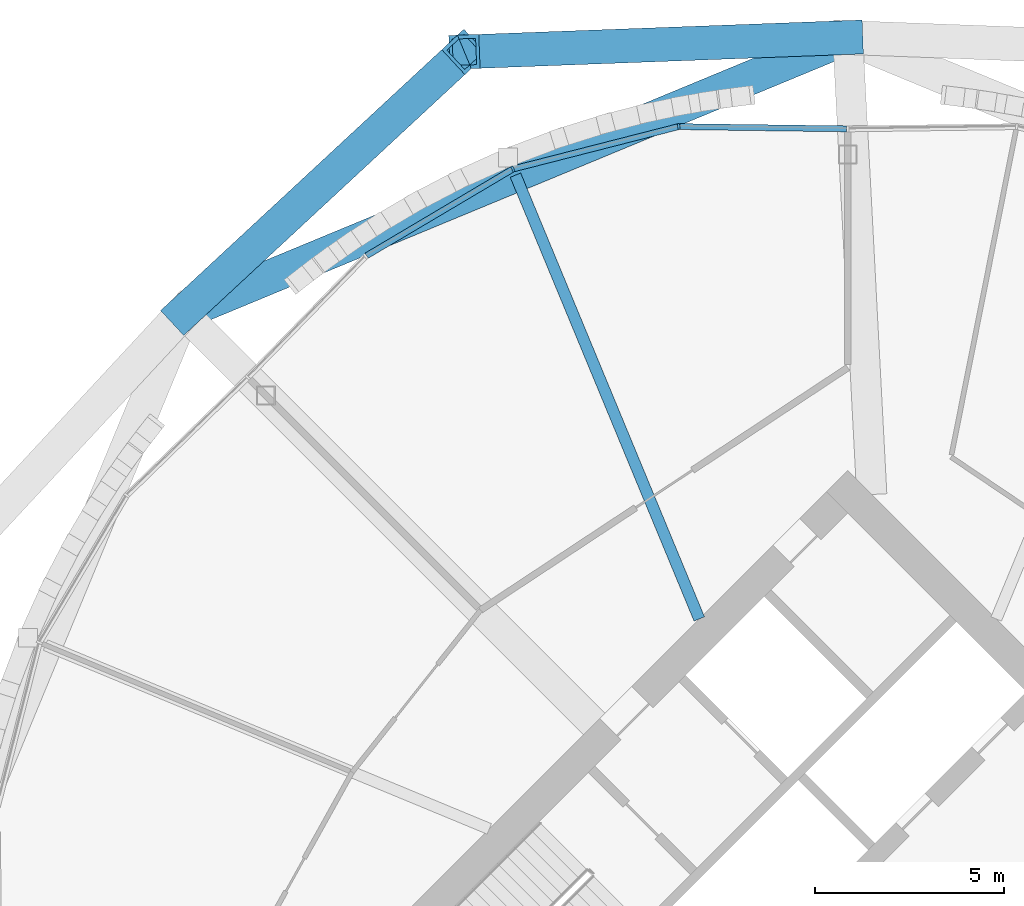
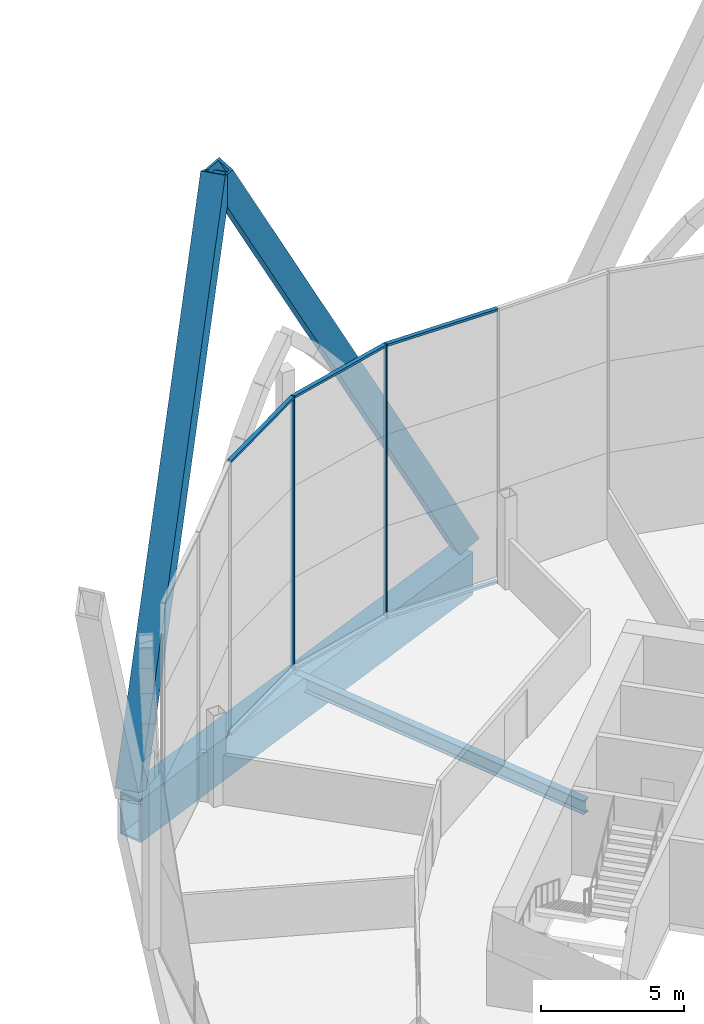
# One storey, part 21 of 37: 10 members, 2 beams, 1 element without a shape of its own.
"""IFC4 building model written with IfcOpenShell, lengths in metres."""

from ifc_helpers import new_model, si_unit, direction, frame, origin, origin_2d, place, context, subcontext, project, spatial, rectangle, hollow_rectangle, i_section, extrude, material, material_profile, profile_set, type_object, element, aggregate, save


model = new_model("IFC4")

# Units and contexts
model_context = context("Model", 3, precision=1e-05, world=origin(), true_north=direction((0.0, 1.0)))
body_context = subcontext(model_context, "Body", "Model", "MODEL_VIEW")
ifc_project = project(units=[si_unit("LENGTHUNIT", "METRE"), si_unit("AREAUNIT", "SQUARE_METRE"), si_unit("VOLUMEUNIT", "CUBIC_METRE"), si_unit("PLANEANGLEUNIT", "RADIAN"), si_unit("MASSUNIT", "GRAM", prefix="KILO")], contexts=[model_context])

# Site, building, storey
site_placement = place(None, origin())
site = spatial("IfcSite", under=ifc_project, at=site_placement, CompositionType="ELEMENT")
building_placement = place(site_placement, origin())
building = spatial("IfcBuilding", under=site, at=building_placement, Name="Ogive Gate Towers", CompositionType="ELEMENT")
storey_placement = place(building_placement, frame((0.0, 0.0, 32.39990234375)))
storey = spatial("IfcBuildingStorey", under=building, at=storey_placement, Name="L06", CompositionType="ELEMENT", Elevation=32.39990234375)

# Members
ifc_material_1 = material(Name="Steel SM460", Category="steel")
ifc_material_profile_1 = material_profile(ifc_material_1, hollow_rectangle(XDim=0.89990234375, YDim=0.89990234375, WallThickness=0.10009765625, at=origin_2d()), Name="BX 900x900x100")
ifc_profile_set_1 = profile_set([ifc_material_profile_1], Name="Steel SM460")
member_type_1 = type_object("IfcMemberType", Name="Diagrid diagonal BX 900x900x100", PredefinedType="BRACE", material=ifc_profile_set_1)
for number, where, z_axis, x_axis, name in (
    (1, (36.0, 24.909912109375, 0.0), (-0.462004857089, -0.017318521171, 0.886708283964), (0.037459273404, -0.999298155125, 0.0), "T2/L06/SDG006"),
    (2, (18.385986328125, 17.614013671875, 0.0), (0.338942066201, 0.31444089886, 0.886704684144), (-0.68011301839, 0.733107278791, 0.0), "T2/L06/SDG007"),
):
    element("IfcMember", number, at=place(storey_placement, frame(where, z_axis=z_axis, x_axis=x_axis)), inside=storey, type_object=member_type_1, Name=name, PredefinedType="BRACE", context=body_context, shape_type="SweptSolid", body=[
        extrude(hollow_rectangle(XDim=0.89990234375, YDim=0.89990234375, WallThickness=0.10009765625, at=origin_2d()), origin(), (0.0, 0.0, 1.0), 21.991455078125),
    ])

# Beams
ifc_material_profile_2 = material_profile(ifc_material_1, hollow_rectangle(XDim=0.89990234375, YDim=1.800048828125, WallThickness=0.080078125, at=origin_2d()), Name="BX 1800x900x80")
ifc_profile_set_2 = profile_set([ifc_material_profile_2], Name="Steel SM460")
beam_type_1 = type_object("IfcBeamType", Name="Edge girder BX 1800x900x80", PredefinedType="BEAM", material=ifc_profile_set_2)
beam_1_placement = place(storey_placement, frame((36.0, 24.909912109375, -1.199951171875), z_axis=(-0.923880736283, -0.382680526191, 0.0), x_axis=(0.382680526191, -0.923880736283, 0.0)))
element("IfcBeam", 3, at=beam_1_placement, inside=storey, type_object=beam_type_1, Name="T2/L06/SBM022", PredefinedType="BEAM", context=body_context, shape_type="SweptSolid", body=[
    extrude(hollow_rectangle(XDim=0.89990234375, YDim=1.800048828125, WallThickness=0.080078125, at=origin_2d()), origin(), (0.0, 0.0, 1.0), 19.065185546875),
])
ifc_material_2 = material(Name="Steel SM355", Category="steel")
ifc_material_profile_3 = material_profile(ifc_material_2, i_section(OverallWidth=0.300048828125, OverallDepth=0.590087890625, WebThickness=0.012939453125, FlangeThickness=0.02490234375, FilletRadius=0.027099609375, at=origin_2d()), Name="HE 600 A")
ifc_profile_set_3 = profile_set([ifc_material_profile_3], Name="Steel SM355")
beam_type_2 = type_object("IfcBeamType", Name="Radial floor beam HE 600 A", PredefinedType="BEAM", material=ifc_profile_set_3)
beam_2_placement = place(storey_placement, frame((32.06494140625, 9.5, -0.594970703125), z_axis=(-0.382690523214, 0.923876595354, 0.0), x_axis=(-0.923876595354, -0.382690523214, 0.0)))
element("IfcBeam", 4, at=beam_2_placement, inside=storey, type_object=beam_type_2, Name="T2/L06/SBM012", PredefinedType="BEAM", context=body_context, shape_type="SweptSolid", body=[
    extrude(i_section(OverallWidth=0.300048828125, OverallDepth=0.590087890625, WebThickness=0.012939453125, FlangeThickness=0.02490234375, FilletRadius=0.027099609375, at=origin_2d()), origin(), (0.0, 0.0, 1.0), 12.731201171875),
])

# Curtain wall, members
ifc_material_3 = material(Name="Pale metal aluminium", Category="aluminium")
curtain_wall_type = type_object("IfcCurtainWallType", Name="Tower unitised wall, low zone", PredefinedType="NOTDEFINED", material=ifc_material_3)
curtain_wall_placement = place(storey_placement, origin())
curtain_wall = element("IfcCurtainWall", 5, at=curtain_wall_placement, inside=storey, type_object=curtain_wall_type, Name="CW1 T2 ECW03", PredefinedType="NOTDEFINED")
ifc_material_profile_4 = material_profile(ifc_material_3, rectangle(XDim=0.159912109375, YDim=0.06005859375, at=origin_2d()), Name="60 x 160 aluminium box")
ifc_profile_set_4 = profile_set([ifc_material_profile_4], Name="Pale metal aluminium")
member_type_2 = type_object("IfcMemberType", Name="Tower unitised wall, low zone mullion 60 x 160", PredefinedType="MULLION", material=ifc_profile_set_4)
member_1_placement = place(storey_placement, frame((31.52099609375, 22.550048828125, -0.2998046875), z_axis=(0.0, 0.0, 1.0), x_axis=(-0.118247992189, 0.992984094708, 0.0)))
member_1 = element("IfcMember", 6, at=member_1_placement, type_object=member_type_2, Name="CW1 mullion", PredefinedType="MULLION", context=body_context, shape_type="SweptSolid", body=[
    extrude(rectangle(XDim=0.159912109375, YDim=0.06005859375, at=origin_2d()), origin(), (0.0, 0.0, 1.0), 11.699951171875),
])
member_2_placement = place(storey_placement, frame((27.125244140625, 21.42578125, -0.2998046875), z_axis=(0.0, 0.0, 1.0), x_axis=(-0.382683432365, 0.923879532511, 0.0)))
member_2 = element("IfcMember", 7, at=member_2_placement, type_object=member_type_2, Name="CW1 mullion", PredefinedType="MULLION", context=body_context, shape_type="SweptSolid", body=[
    extrude(rectangle(XDim=0.159912109375, YDim=0.06005859375, at=origin_2d()), origin(), (0.0, 0.0, 1.0), 11.699951171875),
])
ifc_material_profile_5 = material_profile(ifc_material_3, rectangle(XDim=0.159912109375, YDim=0.10009765625, at=origin_2d()), Name="100 x 160 aluminium box")
ifc_profile_set_5 = profile_set([ifc_material_profile_5], Name="Pale metal aluminium")
member_type_3 = type_object("IfcMemberType", Name="Tower unitised wall, low zone transom 100 x 160", PredefinedType="USERDEFINED", material=ifc_profile_set_5)
member_3_placement = place(storey_placement, frame((35.9697265625, 22.490478515625, 11.35009765625), z_axis=(-0.99991072997, 0.013361590097, 0.0), x_axis=(-0.013361590097, -0.99991072997, 0.0)))
member_3 = element("IfcMember", 8, at=member_3_placement, type_object=member_type_3, Name="CW1 transom", ObjectType="TRANSOM", PredefinedType="USERDEFINED", context=body_context, shape_type="SweptSolid", body=[
    extrude(rectangle(XDim=0.159912109375, YDim=0.10009765625, at=origin_2d()), origin(), (0.0, 0.0, 1.0), 4.421875),
])
member_4_placement = place(storey_placement, frame((35.9697265625, 22.490478515625, -0.25), z_axis=(-0.99991072997, 0.013361590097, 0.0), x_axis=(-0.013361590097, -0.99991072997, 0.0)))
member_4 = element("IfcMember", 9, at=member_4_placement, type_object=member_type_3, Name="CW1 transom", ObjectType="TRANSOM", PredefinedType="USERDEFINED", context=body_context, shape_type="SweptSolid", body=[
    extrude(rectangle(XDim=0.159912109375, YDim=0.10009765625, at=origin_2d()), origin(), (0.0, 0.0, 1.0), 4.421875),
])
member_5_placement = place(storey_placement, frame((31.494384765625, 22.543212890625, 11.35009765625), z_axis=(-0.968808178302, -0.24781185132, 0.0), x_axis=(0.24781185132, -0.968808178302, 0.0)))
member_5 = element("IfcMember", 10, at=member_5_placement, type_object=member_type_3, Name="CW1 transom", ObjectType="TRANSOM", PredefinedType="USERDEFINED", context=body_context, shape_type="SweptSolid", body=[
    extrude(rectangle(XDim=0.159912109375, YDim=0.10009765625, at=origin_2d()), origin(), (0.0, 0.0, 1.0), 4.482666015625),
])
member_6_placement = place(storey_placement, frame((31.494384765625, 22.543212890625, -0.25), z_axis=(-0.968808178302, -0.24781185132, 0.0), x_axis=(0.24781185132, -0.968808178302, 0.0)))
member_6 = element("IfcMember", 11, at=member_6_placement, type_object=member_type_3, Name="CW1 transom", ObjectType="TRANSOM", PredefinedType="USERDEFINED", context=body_context, shape_type="SweptSolid", body=[
    extrude(rectangle(XDim=0.159912109375, YDim=0.10009765625, at=origin_2d()), origin(), (0.0, 0.0, 1.0), 4.482666015625),
])
member_7_placement = place(storey_placement, frame((27.101806640625, 21.41162109375, 11.35009765625), z_axis=(-0.860267645697, -0.509842699042, 0.0), x_axis=(0.509842699042, -0.860267645697, 0.0)))
member_7 = element("IfcMember", 12, at=member_7_placement, type_object=member_type_3, Name="CW1 transom", ObjectType="TRANSOM", PredefinedType="USERDEFINED", context=body_context, shape_type="SweptSolid", body=[
    extrude(rectangle(XDim=0.159912109375, YDim=0.10009765625, at=origin_2d()), origin(), (0.0, 0.0, 1.0), 4.482666015625),
])
member_8_placement = place(storey_placement, frame((27.101806640625, 21.41162109375, -0.25), z_axis=(-0.860267645697, -0.509842699042, 0.0), x_axis=(0.509842699042, -0.860267645697, 0.0)))
member_8 = element("IfcMember", 13, at=member_8_placement, type_object=member_type_3, Name="CW1 transom", ObjectType="TRANSOM", PredefinedType="USERDEFINED", context=body_context, shape_type="SweptSolid", body=[
    extrude(rectangle(XDim=0.159912109375, YDim=0.10009765625, at=origin_2d()), origin(), (0.0, 0.0, 1.0), 4.482666015625),
])
aggregate(curtain_wall, [member_1, member_3, member_4, member_2, member_5, member_6, member_7, member_8])

save(model, "model.ifc")
